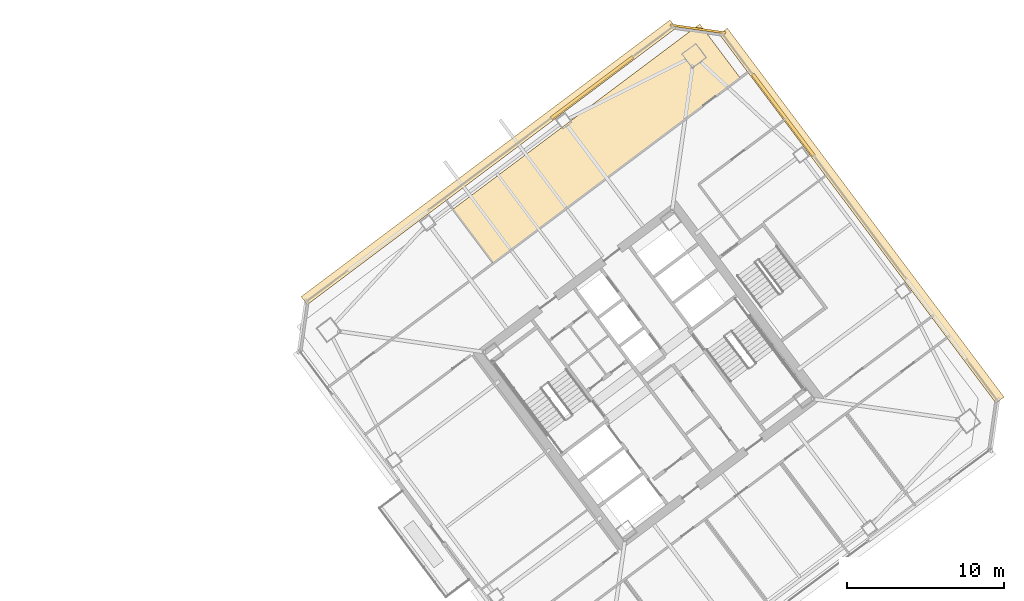
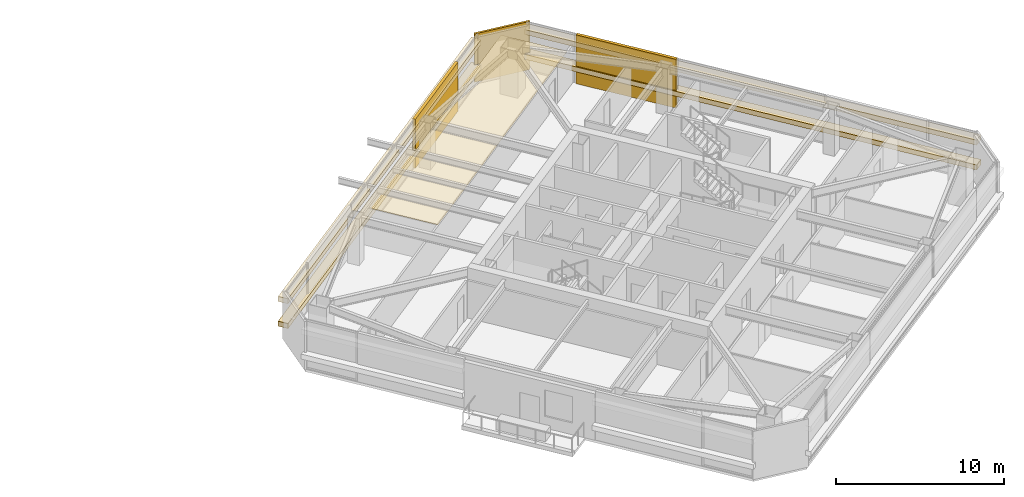
# One storey, part 41 of 41: 8 coverings.
"""IFC4 building model written with IfcOpenShell, lengths in metres."""

from ifc_helpers import new_model, si_unit, direction, frame, origin, origin_2d, place, context, subcontext, project, spatial, polyline, rectangle, outline, extrude, material, layer, layer_set, type_object, element, save


model = new_model("IFC4")

# Units and contexts
model_context = context("Model", 3, precision=1e-05, world=origin(), true_north=direction((0.0, 1.0)))
body_context = subcontext(model_context, "Body", "Model", "MODEL_VIEW")
ifc_project = project(units=[si_unit("LENGTHUNIT", "METRE"), si_unit("AREAUNIT", "SQUARE_METRE"), si_unit("VOLUMEUNIT", "CUBIC_METRE"), si_unit("PLANEANGLEUNIT", "RADIAN"), si_unit("MASSUNIT", "GRAM", prefix="KILO")], contexts=[model_context])

# Site, building, storey
site_placement = place(None, origin())
site = spatial("IfcSite", under=ifc_project, at=site_placement, CompositionType="ELEMENT")
building_placement = place(site_placement, origin())
building = spatial("IfcBuilding", under=site, at=building_placement, Name="Tashvorn Skyway Center", CompositionType="ELEMENT")
storey_placement = place(building_placement, frame((0.0, 0.0, 174.75)))
storey = spatial("IfcBuildingStorey", under=building, at=storey_placement, Name="L47", CompositionType="ELEMENT", Elevation=174.75)

# Coverings
ifc_material_1 = material(Name="Precast concrete C40/50", Category="concrete")
ifc_layer_1 = layer(ifc_material_1, 0.199951171875)
ifc_layer_set_1 = layer_set([ifc_layer_1], Name="Precast concrete C40/50")
covering_type_1 = type_object("IfcCoveringType", Name="COV-BRACE-CLAD", PredefinedType="CLADDING", material=ifc_layer_set_1)
for number, where, z_axis, x_axis, name in (
    (1, (110.412109375, 50.283935546875, 0.0), (0.0, 0.0, 1.0), (0.799999996291, 0.600000004945, 0.0), "Tower 2 L47 North Unitised Curtain Wall Mega-Brace Cladding Band 2"),
    (2, (122.56396484375, 48.548095703125, 0.0), (0.0, 0.0, 1.0), (0.600000004945, -0.799999996291, 0.0), "Tower 2 L47 East Unitised Curtain Wall Mega-Brace Cladding Band 1"),
):
    element("IfcCovering", number, at=place(storey_placement, frame(where, z_axis=z_axis, x_axis=x_axis)), inside=storey, type_object=covering_type_1, Name=name, PredefinedType="CLADDING", context=body_context, shape_type="SweptSolid", body=[
        extrude(rectangle(XDim=6.47998046875, YDim=0.199951171875, at=origin_2d()), origin(), (0.0, 0.0, 1.0), 3.550048828125),
    ])
ifc_material_2 = material(Name="Mineral-fibre acoustic ceiling tile on suspended grid")
ifc_layer_2 = layer(ifc_material_2, 0.02001953125)
ifc_layer_set_2 = layer_set([ifc_layer_2], Name="Mineral-fibre acoustic ceiling tile on suspended grid")
covering_type_2 = type_object("IfcCoveringType", Name="COV-CEIL-20", PredefinedType="CEILING", material=ifc_layer_set_2)
covering_1_placement = place(storey_placement, frame((0.0, 0.0, 2.702880859375)))
element("IfcCovering", 3, at=covering_1_placement, inside=storey, type_object=covering_type_2, Name="Tower 2 L47 Executive Study Lounge Acoustic Ceiling", PredefinedType="CEILING", context=body_context, shape_type="SweptSolid", body=[
    extrude(outline(polyline([(104.14794921875, 39.135986328125), (119.827880859375, 50.89599609375), (117.260009765625, 54.320068359375), (101.580078125, 42.56005859375), (104.14794921875, 39.135986328125)])), origin(), (0.0, 0.0, 1.0), 0.02001953125),
])
ifc_material_3 = material(Name="Perforated ceramic-coated bronze aluminium solar screen", Category="aluminium")
ifc_layer_3 = layer(ifc_material_3, 0.85009765625)
ifc_layer_set_3 = layer_set([ifc_layer_3], Name="Perforated ceramic-coated bronze aluminium solar screen")
covering_type_3 = type_object("IfcCoveringType", Name="COV-SOLAR-BAND", PredefinedType="CLADDING", material=ifc_layer_set_3)
for number, where, z_axis, x_axis, name in (
    (4, (103.847900390625, 45.535888671875, 0.919921875), (0.0, 0.0, 1.0), (0.799999996291, 0.600000004945, 0.0), "L47 Perforated Ceramic-Metal Solar Screen Louvre Band North 1"),
    (5, (103.847900390625, 45.535888671875, 2.7197265625), (0.0, 0.0, 1.0), (0.799999996291, 0.600000004945, 0.0), "L47 Perforated Ceramic-Metal Solar Screen Louvre Band North 2"),
    (6, (127.535888671875, 42.152099609375, 0.919921875), (0.0, 0.0, 1.0), (0.600000004945, -0.799999996291, 0.0), "L47 Perforated Ceramic-Metal Solar Screen Louvre Band East 1"),
    (7, (127.535888671875, 42.152099609375, 2.7197265625), (0.0, 0.0, 1.0), (0.600000004945, -0.799999996291, 0.0), "L47 Perforated Ceramic-Metal Solar Screen Louvre Band East 2"),
):
    element("IfcCovering", number, at=place(storey_placement, frame(where, z_axis=z_axis, x_axis=x_axis)), inside=storey, type_object=covering_type_3, Name=name, PredefinedType="CLADDING", context=body_context, shape_type="SweptSolid", body=[
        extrude(rectangle(XDim=29.280029296875, YDim=0.639892578125, at=origin_2d()), origin(), (0.0, 0.0, 1.0), 0.360107421875),
    ])
ifc_layer_4 = layer(ifc_material_1, 0.35009765625)
ifc_layer_set_4 = layer_set([ifc_layer_4], Name="Precast concrete C40/50")
covering_type_4 = type_object("IfcCoveringType", Name="COV-STONE-TRIM", PredefinedType="CLADDING", material=ifc_layer_set_4)
covering_2_placement = place(storey_placement, frame((117.14404296875, 54.008056640625, 0.02001953125), z_axis=(0.0, 0.0, 1.0), x_axis=(0.989949494535, -0.141421350118, 0.0)))
element("IfcCovering", 8, at=covering_2_placement, inside=storey, type_object=covering_type_4, Name="Tower 2 L47 NE Mojave Limestone Corner Quoin", PredefinedType="CLADDING", context=body_context, shape_type="SweptSolid", body=[
    extrude(rectangle(XDim=3.55419921875, YDim=0.139892578125, at=origin_2d()), origin(), (0.0, 0.0, 1.0), 3.510009765625),
])

save(model, "model.ifc")
